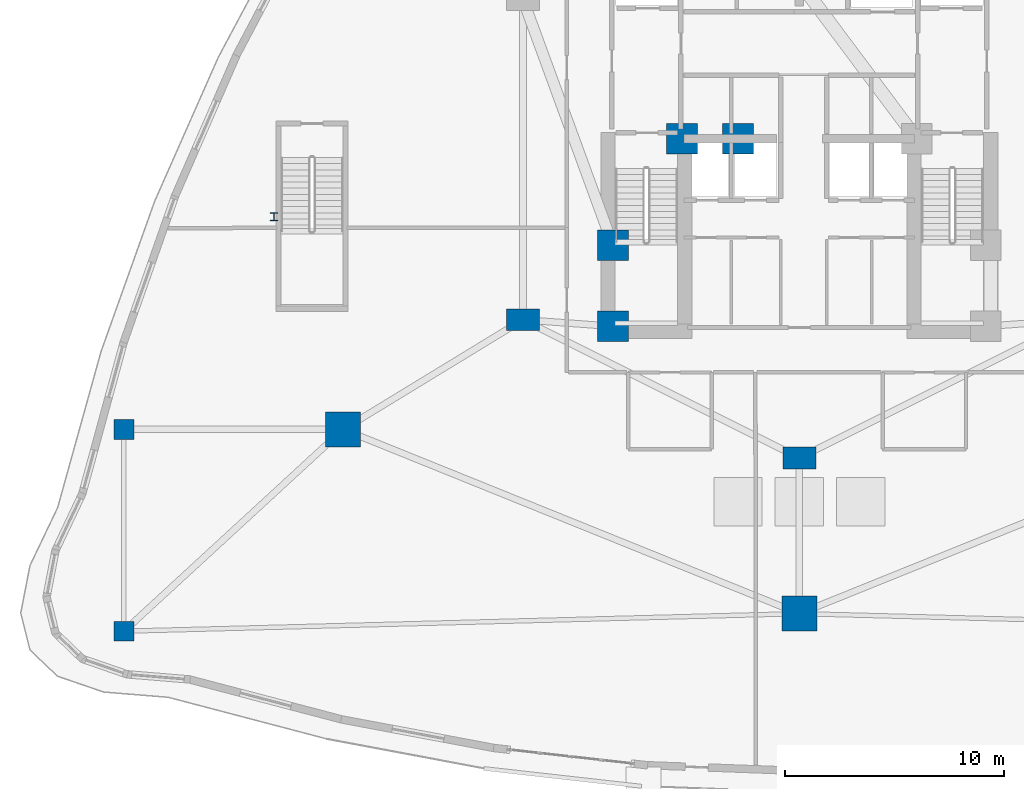
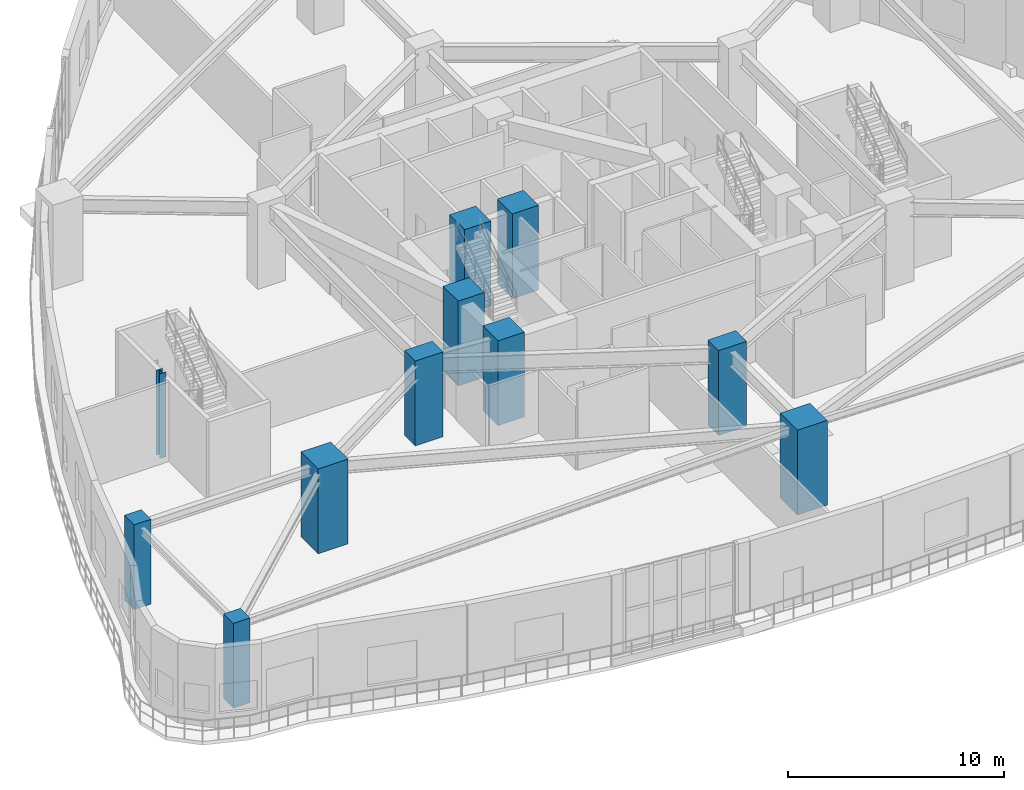
# One storey, part 1 of 23: 11 columns.
"""IFC4 building model written with IfcOpenShell, lengths in metres."""

import ifcopenshell
import ifcopenshell.guid

model = None  # the IFC model being written
_history = None  # IfcOwnerHistory: only IFC2X3 demands one
_inside = {}  # id of a spatial element -> (the spatial element, [elements in it])
_under = {}  # id of a project, library or spatial element -> (it, [spatial elements below it])
_declared = {}  # id of a project -> (the project, [libraries it declares])
_typed = {}  # id of a type object -> (the type object, [elements of that type])
_made_of = {}  # id of a material, layer set ... -> (it, [elements and type objects made of it])


def new_model(schema):
    """Start an empty IFC model of exactly this schema.

    Asked for "IFC4X3", IfcOpenShell would pick the latest addendum, in which some entities
    have other attributes; the version numbers below select the first issue.
    IFC2X3 requires an IfcOwnerHistory on every rooted entity: one is made here for all.
    """
    global model, _history
    if schema == "IFC4X3":
        model = ifcopenshell.file(schema_version=(4, 3, 0, 0))
    else:
        model = ifcopenshell.file(schema=schema)
    _inside.clear()
    _under.clear()
    _declared.clear()
    _typed.clear()
    _made_of.clear()
    _history = None
    if model.schema == "IFC2X3":
        org = make("IfcOrganization", Name="unknown")
        user = make(
            "IfcPersonAndOrganization",
            ThePerson=make("IfcPerson", FamilyName="unknown"),
            TheOrganization=org,
        )
        app = make(
            "IfcApplication",
            ApplicationDeveloper=org,
            Version="unknown",
            ApplicationFullName="unknown",
            ApplicationIdentifier="unknown",
        )
        _history = make(
            "IfcOwnerHistory",
            OwningUser=user,
            OwningApplication=app,
            ChangeAction="ADDED",
            CreationDate=0,
        )
    return model


def make(cls, **values):
    """One entity of the class cls with the attributes given. An attribute that is None is left unset."""
    return model.create_entity(
        cls, **{name: value for name, value in values.items() if value is not None}
    )


def rooted(cls, **values):
    """An entity with a GlobalId (a new one), such as an element, a storey or a relation."""
    return make(cls, GlobalId=ifcopenshell.guid.new(), OwnerHistory=_history, **values)


def si_unit(unit_type, name, prefix=None):
    """IfcSIUnit, for example si_unit("LENGTHUNIT", "METRE", prefix="MILLI")."""
    return make("IfcSIUnit", UnitType=unit_type, Prefix=prefix, Name=name)


def assignment(units):
    """IfcUnitAssignment: the units of a project."""
    return None if units is None else make("IfcUnitAssignment", Units=units)


def point(xyz):
    """IfcCartesianPoint."""
    return None if xyz is None else make("IfcCartesianPoint", Coordinates=xyz)


def direction(xyz):
    """IfcDirection."""
    return None if xyz is None else make("IfcDirection", DirectionRatios=xyz)


def frame(location, z_axis=None, x_axis=None):
    """IfcAxis2Placement3D, a coordinate frame: its origin and axes. An axis left out is left unset."""
    return make(
        "IfcAxis2Placement3D",
        Location=point(location),
        Axis=direction(z_axis),
        RefDirection=direction(x_axis),
    )


def frame_2d(location, x_axis=None):
    """IfcAxis2Placement2D, a coordinate frame in the plane: its origin and x axis."""
    return make(
        "IfcAxis2Placement2D", Location=point(location), RefDirection=direction(x_axis)
    )


def origin():
    """The frame at (0, 0, 0) with its axes left unset."""
    return frame((0.0, 0.0, 0.0))


def origin_2d():
    """The frame at (0, 0) in the plane with its x axis left unset."""
    return frame_2d((0.0, 0.0))


def place(relative_to, where):
    """IfcLocalPlacement: puts the frame where relative to a parent placement (None: the world)."""
    return make(
        "IfcLocalPlacement", PlacementRelTo=relative_to, RelativePlacement=where
    )


def context(
    kind, dimensions, precision=None, world=None, true_north=None, identifier=None
):
    """IfcGeometricRepresentationContext, for example the 3D "Model" context."""
    return make(
        "IfcGeometricRepresentationContext",
        ContextIdentifier=identifier,
        ContextType=kind,
        CoordinateSpaceDimension=dimensions,
        Precision=precision,
        WorldCoordinateSystem=world,
        TrueNorth=true_north,
    )


def subcontext(parent, identifier, kind, view, scale=None):
    """IfcGeometricRepresentationSubContext, for example "Body" below "Model"."""
    return make(
        "IfcGeometricRepresentationSubContext",
        ContextIdentifier=identifier,
        ContextType=kind,
        ParentContext=parent,
        TargetScale=scale,
        TargetView=view,
    )


def project(units=None, contexts=None):
    """IfcProject with its units and contexts."""
    return rooted(
        "IfcProject",
        Name="project",
        RepresentationContexts=contexts,
        UnitsInContext=assignment(units),
    )


def spatial(cls, under=None, at=None, **own):
    """A site, building, storey or space (cls), placed at a placement, below another one or the project."""
    s = rooted(cls, ObjectPlacement=at, **own)
    if under is not None:
        _under.setdefault(under.id(), (under, []))[1].append(s)
    return s


def profile(cls, at=None, kind="AREA", **sizes):
    """A parametric profile (cls). Its sizes go by their IFC names, for example OverallWidth=200.0."""
    return make(cls, ProfileType=kind, Position=at, **sizes)


def rectangle(**sizes):
    """IfcRectangleProfileDef."""
    return profile("IfcRectangleProfileDef", **sizes)


def i_section(**sizes):
    """IfcIShapeProfileDef."""
    return profile("IfcIShapeProfileDef", **sizes)


def extrude(swept, where, along, depth):
    """IfcExtrudedAreaSolid: the profile swept, set in the frame where, extruded along a direction by depth."""
    return make(
        "IfcExtrudedAreaSolid",
        SweptArea=swept,
        Position=where,
        ExtrudedDirection=direction(along),
        Depth=depth,
    )


def shape(context_of_items, identifier, shape_type, items):
    """IfcShapeRepresentation: the items that make up one representation, for example the "Body"."""
    return make(
        "IfcShapeRepresentation",
        ContextOfItems=context_of_items,
        RepresentationIdentifier=identifier,
        RepresentationType=shape_type,
        Items=items,
    )


def material(Name=None, Category=None):
    """IfcMaterial."""
    return make("IfcMaterial", Name=Name, Category=Category)


def material_profile(
    of_material, cross_section, Name=None, Category=None, Priority=None
):
    """IfcMaterialProfile: a cross section and its material."""
    return make(
        "IfcMaterialProfile",
        Name=Name,
        Material=of_material,
        Profile=cross_section,
        Priority=Priority,
        Category=Category,
    )


def profile_set(profiles, Name=None, composite=None):
    """IfcMaterialProfileSet."""
    return make(
        "IfcMaterialProfileSet",
        Name=Name,
        MaterialProfiles=profiles,
        CompositeProfile=composite,
    )


def made_of(thing, what):
    """Note that an element or type object is made of a material, layer set ...; save() writes the relation."""
    if what is not None:
        _made_of.setdefault(what.id(), (what, []))[1].append(thing)
    return thing


def type_object(cls, material=None, **own):
    """A type object (cls), such as IfcWallType, which elements share."""
    return made_of(rooted(cls, **own), material)


def element(
    cls,
    number,
    at=None,
    inside=None,
    cuts=None,
    type_object=None,
    material=None,
    context=None,
    identifier="Body",
    shape_type=None,
    held_by="IfcProductDefinitionShape",
    body=None,
    shapes=None,
    **own,
):
    """One element of the class cls, such as IfcWall. Its Tag is "e" and its number.

    at: its placement. inside: the storey or other place that contains it. cuts: it is an
    opening in that element (IfcRelVoidsElement). A single representation is given by context,
    identifier, shape_type and body (its items); several are given by shapes. held_by: the class
    of the entity that holds the representations. save() writes the other relations.
    """
    e = rooted(cls, Tag="e%d" % number, ObjectPlacement=at, **own)
    if body is not None:
        shapes = [shape(context, identifier, shape_type, body)]
    if shapes is not None:
        e.Representation = make(held_by, Representations=shapes)
    if inside is not None:
        _inside.setdefault(inside.id(), (inside, []))[1].append(e)
    if cuts is not None:
        rooted(
            "IfcRelVoidsElement", RelatingBuildingElement=cuts, RelatedOpeningElement=e
        )
    if type_object is not None:
        _typed.setdefault(type_object.id(), (type_object, []))[1].append(e)
    return made_of(e, material)


def aggregate(whole, parts):
    """IfcRelAggregates: a whole, such as a stair, and the parts it consists of."""
    return rooted("IfcRelAggregates", RelatingObject=whole, RelatedObjects=parts)


def save(model, path):
    """Write the relations noted so far, then the file.

    IfcRelAggregates (storeys below a building ...), IfcRelContainedInSpatialStructure (elements
    in a storey), IfcRelDefinesByType, IfcRelAssociatesMaterial and IfcRelDeclares: one each for
    every whole, place, type object, material and project.
    """
    for whole, parts in _under.values():
        aggregate(whole, parts)
    for where, things in _inside.values():
        rooted(
            "IfcRelContainedInSpatialStructure",
            RelatedElements=things,
            RelatingStructure=where,
        )
    for kind, things in _typed.values():
        rooted("IfcRelDefinesByType", RelatedObjects=things, RelatingType=kind)
    for what, things in _made_of.values():
        rooted("IfcRelAssociatesMaterial", RelatedObjects=things, RelatingMaterial=what)
    for by, libraries in _declared.values():
        rooted("IfcRelDeclares", RelatingContext=by, RelatedDefinitions=libraries)
    model.write(path)


model = new_model("IFC4")

# Units and contexts
model_context = context("Model", 3, precision=1e-05, world=origin(), true_north=direction((0.0, 1.0)))
body_context = subcontext(model_context, "Body", "Model", "MODEL_VIEW")
ifc_project = project(units=[si_unit("LENGTHUNIT", "METRE"), si_unit("AREAUNIT", "SQUARE_METRE"), si_unit("VOLUMEUNIT", "CUBIC_METRE"), si_unit("PLANEANGLEUNIT", "RADIAN"), si_unit("MASSUNIT", "GRAM", prefix="KILO")], contexts=[model_context])

# Site, building, storey
site_placement = place(None, origin())
site = spatial("IfcSite", under=ifc_project, at=site_placement, CompositionType="ELEMENT")
building_placement = place(site_placement, origin())
building = spatial("IfcBuilding", under=site, at=building_placement, Name="Miruveldt Soraemaru", CompositionType="ELEMENT")
storey_placement = place(building_placement, frame((0.0, 0.0, 9.60009765625)))
storey = spatial("IfcBuildingStorey", under=building, at=storey_placement, Name="L03", CompositionType="ELEMENT", Elevation=9.60009765625)

# Columns
ifc_material_1 = material(Name="Concrete C50/60 (50 MPa)", Category="concrete")
ifc_material_profile_1 = material_profile(ifc_material_1, rectangle(XDim=0.89990234375, YDim=0.89990234375, at=origin_2d()), Name="Concrete C50/60 (50 MPa)", Category="concrete")
ifc_profile_set_1 = profile_set([ifc_material_profile_1], Name="Concrete C50/60 (50 MPa)")
column_type_1 = type_object("IfcColumnType", Name="COL-CORE-900", PredefinedType="COLUMN", material=ifc_profile_set_1)
for number, where, z_axis, x_axis, name in (
    (1, (13.199951171875, 21.60009765625, 0.0), (0.0, 0.0, 1.0), (1.0, 0.0, 0.0), "L03 Structural Column PF01"),
    (2, (13.199951171875, 30.800048828125, 0.0), (0.0, 0.0, 1.0), (1.0, 0.0, 0.0), "L03 Structural Column PF02"),
):
    element("IfcColumn", number, at=place(storey_placement, frame(where, z_axis=z_axis, x_axis=x_axis)), inside=storey, type_object=column_type_1, Name=name, PredefinedType="COLUMN", context=body_context, shape_type="SweptSolid", body=[
        extrude(rectangle(XDim=0.89990234375, YDim=0.89990234375, at=origin_2d()), origin(), (0.0, 0.0, 1.0), 4.7998046875),
    ])
ifc_material_2 = material(Name="Concrete C80/95 (80 MPa)", Category="concrete")
ifc_material_profile_2 = material_profile(ifc_material_2, rectangle(XDim=1.39990234375, YDim=1.39990234375, at=origin_2d()), Name="Concrete C80/95 (80 MPa)", Category="concrete")
ifc_profile_set_2 = profile_set([ifc_material_profile_2], Name="Concrete C80/95 (80 MPa)")
column_type_2 = type_object("IfcColumnType", Name="COL-MEGA-1400", PredefinedType="COLUMN", material=ifc_profile_set_2)
for number, where, z_axis, x_axis, name in (
    (3, (35.5, 35.5, 0.0), (0.0, 0.0, 1.0), (1.0, 0.0, 0.0), "L03 Structural Column CC1"),
    (4, (38.64990234375, 44.050048828125, 0.0), (0.0, 0.0, 1.0), (1.0, 0.0, 0.0), "L03 Structural Column CC2"),
    (5, (35.5, 39.199951171875, 0.0), (0.0, 0.0, 1.0), (1.0, 0.0, 0.0), "L03 Structural Column CC7"),
    (6, (41.199951171875, 44.050048828125, 0.0), (0.0, 0.0, 1.0), (1.0, 0.0, 0.0), "L03 Structural Column CC8"),
):
    element("IfcColumn", number, at=place(storey_placement, frame(where, z_axis=z_axis, x_axis=x_axis)), inside=storey, type_object=column_type_2, Name=name, PredefinedType="COLUMN", context=body_context, shape_type="SweptSolid", body=[
        extrude(rectangle(XDim=1.39990234375, YDim=1.39990234375, at=origin_2d()), origin(), (0.0, 0.0, 1.0), 4.7998046875),
    ])
ifc_material_profile_3 = material_profile(ifc_material_2, rectangle(XDim=1.60009765625, YDim=1.60009765625, at=origin_2d()), Name="Concrete C80/95 (80 MPa)", Category="concrete")
ifc_profile_set_3 = profile_set([ifc_material_profile_3], Name="Concrete C80/95 (80 MPa)")
column_type_3 = type_object("IfcColumnType", Name="COL-MEGA-1600", PredefinedType="COLUMN", material=ifc_profile_set_3)
for number, where, z_axis, x_axis, name in (
    (7, (44.0, 22.39990234375, 0.0), (0.0, 0.0, 1.0), (1.0, 0.0, 0.0), "L03 Structural Column PM04"),
    (8, (23.199951171875, 30.800048828125, 0.0), (0.0, 0.0, 1.0), (1.0, 0.0, 0.0), "L03 Structural Column PM05"),
):
    element("IfcColumn", number, at=place(storey_placement, frame(where, z_axis=z_axis, x_axis=x_axis)), inside=storey, type_object=column_type_3, Name=name, PredefinedType="COLUMN", context=body_context, shape_type="SweptSolid", body=[
        extrude(rectangle(XDim=1.60009765625, YDim=1.60009765625, at=origin_2d()), origin(), (0.0, 0.0, 1.0), 4.7998046875),
    ])
ifc_material_3 = material(Name="Steel SM355 (355 MPa)", Category="steel")
ifc_material_profile_4 = material_profile(ifc_material_3, i_section(OverallWidth=0.35009765625, OverallDepth=0.35009765625, WebThickness=0.011962890625, FlangeThickness=0.01904296875, FilletRadius=0.02001953125, at=origin_2d()), Name="Steel SM355 (355 MPa)", Category="steel")
ifc_profile_set_4 = profile_set([ifc_material_profile_4], Name="Steel SM355 (355 MPa)")
column_type_4 = type_object("IfcColumnType", Name="COL-PIL-350", PredefinedType="PILASTER", material=ifc_profile_set_4)
column_placement = place(storey_placement, frame((20.050048828125, 40.5, 0.0), z_axis=(0.0, 0.0, 1.0), x_axis=(1.0, 0.0, 0.0)))
element("IfcColumn", 9, at=column_placement, inside=storey, type_object=column_type_4, Name="L03 Structural Column PIL1", PredefinedType="PILASTER", context=body_context, shape_type="SweptSolid", body=[
    extrude(i_section(OverallWidth=0.35009765625, OverallDepth=0.35009765625, WebThickness=0.011962890625, FlangeThickness=0.01904296875, FilletRadius=0.02001953125, at=origin_2d()), origin(), (0.0, 0.0, 1.0), 4.7998046875),
])
ifc_material_profile_5 = material_profile(ifc_material_2, rectangle(XDim=1.5, YDim=1.0, at=origin_2d()), Name="Concrete C80/95 (80 MPa)", Category="concrete")
ifc_profile_set_5 = profile_set([ifc_material_profile_5], Name="Concrete C80/95 (80 MPa)")
column_type_5 = type_object("IfcColumnType", Name="COL-TW-Z1A", PredefinedType="COLUMN", material=ifc_profile_set_5)
for number, where, z_axis, x_axis, name in (
    (10, (44.0, 29.5, 0.0), (0.0, 0.0, 1.0), (1.0, 0.0, 0.0), "L03 Structural Column IR04"),
    (11, (31.39990234375, 35.800048828125, 0.0), (0.0, 0.0, 1.0), (1.0, 0.0, 0.0), "L03 Structural Column IR05"),
):
    element("IfcColumn", number, at=place(storey_placement, frame(where, z_axis=z_axis, x_axis=x_axis)), inside=storey, type_object=column_type_5, Name=name, PredefinedType="COLUMN", context=body_context, shape_type="SweptSolid", body=[
        extrude(rectangle(XDim=1.5, YDim=1.0, at=origin_2d()), origin(), (0.0, 0.0, 1.0), 4.7998046875),
    ])

save(model, "model.ifc")
